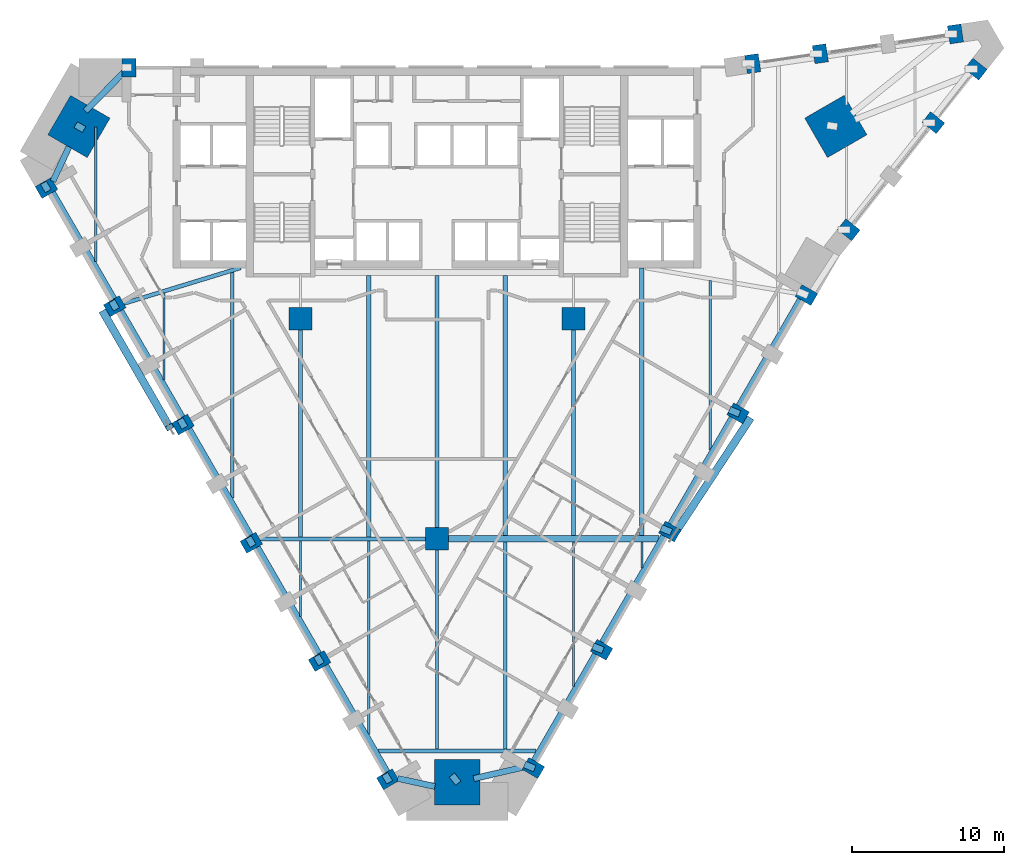
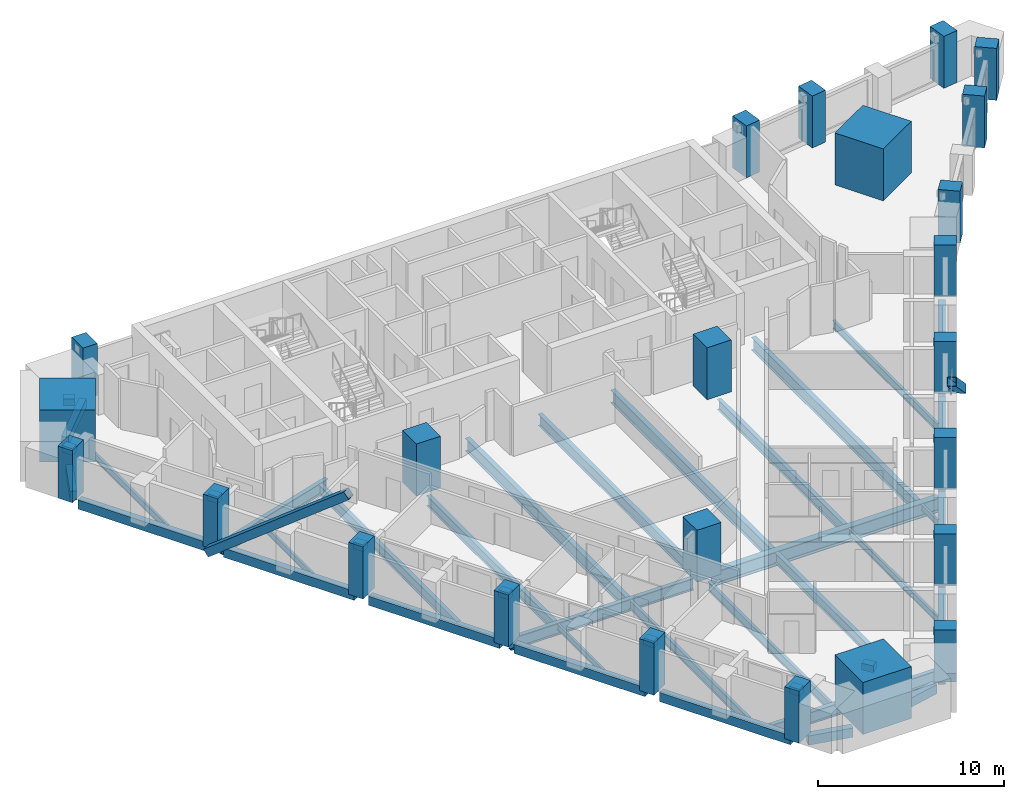
# One storey, part 1 of 11: 45 beams, 24 columns, 2 members.
"""IFC4 building model written with IfcOpenShell, lengths in metres."""

from ifc_helpers import new_model, si_unit, direction, frame, origin, origin_2d, place, context, subcontext, project, spatial, rectangle, hollow_rectangle, i_section, extrude, material, material_profile, profile_set, type_object, element, save


model = new_model("IFC4")

# Units and contexts
model_context = context("Model", 3, precision=1e-05, world=origin(), true_north=direction((0.0, 1.0)))
body_context = subcontext(model_context, "Body", "Model", "MODEL_VIEW")
ifc_project = project(units=[si_unit("LENGTHUNIT", "METRE"), si_unit("AREAUNIT", "SQUARE_METRE"), si_unit("VOLUMEUNIT", "CUBIC_METRE"), si_unit("PLANEANGLEUNIT", "RADIAN"), si_unit("MASSUNIT", "GRAM", prefix="KILO")], contexts=[model_context])

# Site, building, storey
site_placement = place(None, origin())
site = spatial("IfcSite", under=ifc_project, at=site_placement, CompositionType="ELEMENT")
building_placement = place(site_placement, origin())
building = spatial("IfcBuilding", under=site, at=building_placement, Name="Calabash Gate Tower", CompositionType="ELEMENT")
storey_placement = place(building_placement, frame((0.0, 0.0, 98.60009765625)))
storey = spatial("IfcBuildingStorey", under=building, at=storey_placement, Name="L21", CompositionType="ELEMENT", Elevation=98.60009765625)

# Columns
ifc_material_1 = material(Name="Concrete C80/95", Category="concrete")
ifc_material_profile_1 = material_profile(ifc_material_1, rectangle(XDim=1.5, YDim=1.5, at=origin_2d()))
ifc_profile_set_1 = profile_set([ifc_material_profile_1], Name="Concrete C80/95")
column_type_1 = type_object("IfcColumnType", Name="Interior column RC 1500x1500 Concrete C80/95", PredefinedType="COLUMN", material=ifc_profile_set_1)
for number, where, z_axis, x_axis, name in (
    (1, (-9.0, 2.5, 0.0), (0.0, 0.0, 1.0), (1.0, 0.0, 0.0), "Interior column L21 I0"),
    (2, (9.0, 2.5, 0.0), (0.0, 0.0, 1.0), (1.0, 0.0, 0.0), "Interior column L21 I1"),
    (3, (0.0, -12.0, 0.0), (0.0, 0.0, 1.0), (1.0, 0.0, 0.0), "Interior column L21 I2"),
):
    element("IfcColumn", number, at=place(storey_placement, frame(where, z_axis=z_axis, x_axis=x_axis)), inside=storey, type_object=column_type_1, Name=name, PredefinedType="COLUMN", context=body_context, shape_type="SweptSolid", body=[
        extrude(rectangle(XDim=1.5, YDim=1.5, at=origin_2d()), origin(), (0.0, 0.0, 1.0), 3.39990234375),
    ])
ifc_material_2 = material(Name="Concrete C80/95", Category="concrete")
ifc_material_profile_2 = material_profile(ifc_material_2, rectangle(XDim=3.0, YDim=3.0, at=origin_2d()))
ifc_profile_set_2 = profile_set([ifc_material_profile_2], Name="Concrete C80/95")
column_type_2 = type_object("IfcColumnType", Name="Mega column RC 3000x3000 Concrete C80/95", PredefinedType="COLUMN", material=ifc_profile_set_2)
for number, where, z_axis, x_axis, name in (
    (4, (-23.60302734375, 15.177001953125, 0.0), (0.0, 0.0, 1.0), (0.866025438691, -0.49999993954, 0.0), "Mega column L21 NW"),
    (5, (26.283935546875, 15.177001953125, 0.0), (0.0, 0.0, 1.0), (-0.866025438691, -0.49999993954, 0.0), "Mega column L21 NE"),
    (6, (1.340087890625, -28.030029296875, 0.0), (0.0, 0.0, 1.0), (0.0, 1.0, 0.0), "Mega column L21 S"),
):
    element("IfcColumn", number, at=place(storey_placement, frame(where, z_axis=z_axis, x_axis=x_axis)), inside=storey, type_object=column_type_2, Name=name, PredefinedType="COLUMN", context=body_context, shape_type="SweptSolid", body=[
        extrude(rectangle(XDim=3.0, YDim=3.0, at=origin_2d()), origin(), (0.0, 0.0, 1.0), 3.39990234375),
    ])
ifc_material_3 = material(Name="Concrete C70/85", Category="concrete")
ifc_material_profile_3 = material_profile(ifc_material_3, rectangle(XDim=0.89990234375, YDim=1.199951171875, at=origin_2d()))
ifc_profile_set_3 = profile_set([ifc_material_profile_3], Name="Concrete C70/85")
column_type_3 = type_object("IfcColumnType", Name="Perimeter column RC 900x1200 Concrete C70/85", PredefinedType="COLUMN", material=ifc_profile_set_3)
for number, where, z_axis, x_axis, name in (
    (7, (-25.740966796875, 11.118896484375, 0.0), (0.0, 0.0, 1.0), (0.5, -0.866025403784, 0.0), "Perimeter column L21 P20"),
    (8, (-21.240966796875, 3.326904296875, 0.0), (0.0, 0.0, 1.0), (0.5, -0.866025403784, 0.0), "Perimeter column L21 P00"),
    (9, (-16.740966796875, -4.468994140625, 0.0), (0.0, 0.0, 1.0), (0.5, -0.866025403784, 0.0), "Perimeter column L21 P01"),
    (10, (-12.240966796875, -12.262939453125, 0.0), (0.0, 0.0, 1.0), (0.5, -0.866025403784, 0.0), "Perimeter column L21 P02"),
    (11, (-7.740966796875, -20.05810546875, 0.0), (0.0, 0.0, 1.0), (0.5, -0.866025403784, 0.0), "Perimeter column L21 P03"),
    (12, (-3.240966796875, -27.85205078125, 0.0), (0.0, 0.0, 1.0), (0.5, -0.866025403784, 0.0), "Perimeter column L21 P05"),
    (13, (6.346923828125, -27.111083984375, 0.0), (0.0, 0.0, 1.0), (0.5, 0.866025403784, 0.0), "Perimeter column L21 P08"),
    (14, (10.846923828125, -19.31689453125, 0.0), (0.0, 0.0, 1.0), (0.5, 0.866025403784, 0.0), "Perimeter column L21 P09"),
    (15, (15.346923828125, -11.52294921875, 0.0), (0.0, 0.0, 1.0), (0.5, 0.866025403784, 0.0), "Perimeter column L21 P10"),
    (16, (19.846923828125, -3.72802734375, 0.0), (0.0, 0.0, 1.0), (0.5, 0.866025403784, 0.0), "Perimeter column L21 P11"),
    (17, (24.346923828125, 4.06591796875, 0.0), (0.0, 0.0, 1.0), (0.5, 0.866025403784, 0.0), "Perimeter column L21 P12"),
    (18, (27.135986328125, 8.366943359375, 0.0), (0.0, 0.0, 1.0), (0.620301172202, 0.784363726701, 0.0), "Perimeter column L21 P13"),
    (19, (32.718994140625, 15.424072265625, 0.0), (0.0, 0.0, 1.0), (0.620301172202, 0.784363726701, 0.0), "Perimeter column L21 P21"),
    (20, (35.510009765625, 18.9541015625, 0.0), (0.0, 0.0, 1.0), (0.620301172202, 0.784363726701, 0.0), "Perimeter column L21 P22"),
    (21, (34.169921875, 21.27587890625, 0.0), (0.0, 0.0, 1.0), (-0.989429504293, -0.145014675236, 0.0), "Perimeter column L21 P23"),
    (22, (25.26708984375, 19.970947265625, 0.0), (0.0, 0.0, 1.0), (-0.989429504293, -0.145014675236, 0.0), "Perimeter column L21 P16"),
    (23, (20.81201171875, 19.318115234375, 0.0), (0.0, 0.0, 1.0), (-0.989429504293, -0.145014675236, 0.0), "Perimeter column L21 P24"),
    (24, (-20.302978515625, 19.052978515625, 0.0), (0.0, 0.0, 1.0), (-1.0, 0.0, 0.0), "Perimeter column L21 P17"),
):
    element("IfcColumn", number, at=place(storey_placement, frame(where, z_axis=z_axis, x_axis=x_axis)), inside=storey, type_object=column_type_3, Name=name, PredefinedType="COLUMN", context=body_context, shape_type="SweptSolid", body=[
        extrude(rectangle(XDim=0.89990234375, YDim=1.199951171875, at=origin_2d()), origin(), (0.0, 0.0, 1.0), 3.39990234375),
    ])

# Beams
ifc_material_4 = material(Name="Concrete C80/95", Category="concrete")
ifc_material_profile_4 = material_profile(ifc_material_4, rectangle(XDim=0.449951171875, YDim=0.449951171875, at=origin_2d()))
ifc_profile_set_4 = profile_set([ifc_material_profile_4], Name="Concrete C80/95")
beam_type_1 = type_object("IfcBeamType", Name="Column offset link RC 450x450 Concrete C80/95", PredefinedType="BEAM", material=ifc_profile_set_4)
beam_1_placement = place(storey_placement, frame((-23.262939453125, 14.97900390625, 3.00390625), z_axis=(-0.867052298237, 0.498217133508, 0.0), x_axis=(-0.498217133508, -0.867052298237, 0.0)))
element("IfcBeam", 25, at=beam_1_placement, inside=storey, type_object=beam_type_1, Name="Column offset link L21 NW", PredefinedType="BEAM", context=body_context, shape_type="SweptSolid", body=[
    extrude(rectangle(XDim=0.449951171875, YDim=0.449951171875, at=origin_2d()), origin(), (0.0, 0.0, 1.0), 0.632080078125),
])
for number, where, z_axis, x_axis, name in (
    (26, (-21.123046875, 3.1240234375, 3.00390625), (-0.502042205342, 0.864843121066, 0.0), (-0.864843121066, -0.502042205342, 0.0), "Column offset link L21 P00"),
    (27, (-16.623046875, -4.669921875, 3.00390625), (-0.502042205342, 0.864843121066, 0.0), (-0.864843121066, -0.502042205342, 0.0), "Column offset link L21 P01"),
):
    element("IfcBeam", number, at=place(storey_placement, frame(where, z_axis=z_axis, x_axis=x_axis)), inside=storey, type_object=beam_type_1, Name=name, PredefinedType="BEAM", context=body_context, shape_type="SweptSolid", body=[
        extrude(rectangle(XDim=0.449951171875, YDim=0.449951171875, at=origin_2d()), origin(), (0.0, 0.0, 1.0), 0.631103515625),
    ])
beam_2_placement = place(storey_placement, frame((-12.123046875, -12.464111328125, 3.00390625), z_axis=(-0.501874316315, 0.864940559012, 0.0), x_axis=(-0.864940559012, -0.501874316315, 0.0)))
element("IfcBeam", 28, at=beam_2_placement, inside=storey, type_object=beam_type_1, Name="Column offset link L21 P02", PredefinedType="BEAM", context=body_context, shape_type="SweptSolid", body=[
    extrude(rectangle(XDim=0.449951171875, YDim=0.449951171875, at=origin_2d()), origin(), (0.0, 0.0, 1.0), 0.63134765625),
])
beam_3_placement = place(storey_placement, frame((-7.623046875, -20.258056640625, 3.00390625), z_axis=(-0.502546433169, 0.864550219773, 0.0), x_axis=(-0.864550219773, -0.502546433169, 0.0)))
element("IfcBeam", 29, at=beam_3_placement, inside=storey, type_object=beam_type_1, Name="Column offset link L21 P03", PredefinedType="BEAM", context=body_context, shape_type="SweptSolid", body=[
    extrude(rectangle(XDim=0.449951171875, YDim=0.449951171875, at=origin_2d()), origin(), (0.0, 0.0, 1.0), 0.630615234375),
])
beam_4_placement = place(storey_placement, frame((-3.123046875, -28.052001953125, 3.00390625), z_axis=(-0.502714696212, 0.864452389789, 0.0), x_axis=(-0.864452389789, -0.502714696212, 0.0)))
element("IfcBeam", 30, at=beam_4_placement, inside=storey, type_object=beam_type_1, Name="Column offset link L21 P05", PredefinedType="BEAM", context=body_context, shape_type="SweptSolid", body=[
    extrude(rectangle(XDim=0.449951171875, YDim=0.449951171875, at=origin_2d()), origin(), (0.0, 0.0, 1.0), 0.63037109375),
])
beam_5_placement = place(storey_placement, frame((6.43994140625, -27.14990234375, 3.00390625), z_axis=(-0.921775912684, 0.387723054249, 0.0), x_axis=(-0.387723054249, -0.921775912684, 0.0)))
element("IfcBeam", 31, at=beam_5_placement, inside=storey, type_object=beam_type_1, Name="Column offset link L21 P08", PredefinedType="BEAM", context=body_context, shape_type="SweptSolid", body=[
    extrude(rectangle(XDim=0.449951171875, YDim=0.449951171875, at=origin_2d()), origin(), (0.0, 0.0, 1.0), 0.718994140625),
])
beam_6_placement = place(storey_placement, frame((10.93994140625, -19.35302734375, 3.00390625), z_axis=(-0.923107097982, 0.384542956839, 0.0), x_axis=(-0.384542956839, -0.923107097982, 0.0)))
element("IfcBeam", 32, at=beam_6_placement, inside=storey, type_object=beam_type_1, Name="Column offset link L21 P09", PredefinedType="BEAM", context=body_context, shape_type="SweptSolid", body=[
    extrude(rectangle(XDim=0.449951171875, YDim=0.449951171875, at=origin_2d()), origin(), (0.0, 0.0, 1.0), 0.718017578125),
])
for number, where, z_axis, x_axis, name in (
    (33, (15.43994140625, -11.56103515625, 3.00390625), (-0.921654543949, 0.388011470988, 0.0), (-0.388011470988, -0.921654543949, 0.0), "Column offset link L21 P10"),
    (34, (19.93994140625, -3.76708984375, 3.00390625), (-0.921654543949, 0.388011470988, 0.0), (-0.388011470988, -0.921654543949, 0.0), "Column offset link L21 P11"),
):
    element("IfcBeam", number, at=place(storey_placement, frame(where, z_axis=z_axis, x_axis=x_axis)), inside=storey, type_object=beam_type_1, Name=name, PredefinedType="BEAM", context=body_context, shape_type="SweptSolid", body=[
        extrude(rectangle(XDim=0.449951171875, YDim=0.449951171875, at=origin_2d()), origin(), (0.0, 0.0, 1.0), 0.71923828125),
    ])
beam_7_placement = place(storey_placement, frame((-25.623046875, 10.9189453125, 3.00390625), z_axis=(-0.502546433169, 0.864550219773, 0.0), x_axis=(-0.864550219773, -0.502546433169, 0.0)))
element("IfcBeam", 35, at=beam_7_placement, inside=storey, type_object=beam_type_1, Name="Column offset link L21 P20", PredefinedType="BEAM", context=body_context, shape_type="SweptSolid", body=[
    extrude(rectangle(XDim=0.449951171875, YDim=0.449951171875, at=origin_2d()), origin(), (0.0, 0.0, 1.0), 0.630615234375),
])
beam_8_placement = place(storey_placement, frame((1.40087890625, -28.10888671875, 3.00390625), z_axis=(-0.618564308494, 0.785734176588, 0.0), x_axis=(-0.785734176588, -0.618564308494, 0.0)))
element("IfcBeam", 36, at=beam_8_placement, inside=storey, type_object=beam_type_1, Name="Column offset link L21 S", PredefinedType="BEAM", context=body_context, shape_type="SweptSolid", body=[
    extrude(rectangle(XDim=0.449951171875, YDim=0.449951171875, at=origin_2d()), origin(), (0.0, 0.0, 1.0), 0.68212890625),
])
ifc_material_5 = material(Name="Concrete C60/75", Category="concrete")
ifc_material_profile_5 = material_profile(ifc_material_5, rectangle(XDim=0.39990234375, YDim=0.60009765625, at=origin_2d()))
ifc_profile_set_5 = profile_set([ifc_material_profile_5], Name="Concrete C60/75")
beam_type_2 = type_object("IfcBeamType", Name="Edge beam RC 400x600 Concrete C60/75", PredefinedType="BEAM", material=ifc_profile_set_5)
beam_9_placement = place(storey_placement, frame((-16.343017578125, -4.759033203125, -0.47021484375), z_axis=(0.499999880539, -0.866025472755, 0.0), x_axis=(0.866025472755, 0.499999880539, 0.0)))
element("IfcBeam", 37, at=beam_9_placement, inside=storey, type_object=beam_type_2, Name="Edge beam L21 1", PredefinedType="BEAM", context=body_context, shape_type="SweptSolid", body=[
    extrude(rectangle(XDim=0.39990234375, YDim=0.60009765625, at=origin_2d()), origin(), (0.0, 0.0, 1.0), 8.10009765625),
])
for number, where, z_axis, x_axis, name in (
    (38, (-11.843017578125, -12.552978515625, -0.47021484375), (0.499986829629, -0.866033007568, 0.0), (0.866033007568, 0.499986829629, 0.0), "Edge beam L21 2"),
    (39, (-7.343017578125, -20.346923828125, -0.47021484375), (0.499986829629, -0.866033007568, 0.0), (0.866033007568, 0.499986829629, 0.0), "Edge beam L21 3"),
):
    element("IfcBeam", number, at=place(storey_placement, frame(where, z_axis=z_axis, x_axis=x_axis)), inside=storey, type_object=beam_type_2, Name=name, PredefinedType="BEAM", context=body_context, shape_type="SweptSolid", body=[
        extrude(rectangle(XDim=0.39990234375, YDim=0.60009765625, at=origin_2d()), origin(), (0.0, 0.0, 1.0), 8.100341796875),
    ])
beam_10_placement = place(storey_placement, frame((-2.592041015625, -27.79296875, -0.47021484375), z_axis=(0.976668907424, -0.214750658372, 0.0), x_axis=(0.214750658372, 0.976668907424, 0.0)))
element("IfcBeam", 40, at=beam_10_placement, inside=storey, type_object=beam_type_2, Name="Edge beam L21 4", PredefinedType="BEAM", context=body_context, shape_type="SweptSolid", body=[
    extrude(rectangle(XDim=0.39990234375, YDim=0.60009765625, at=origin_2d()), origin(), (0.0, 0.0, 1.0), 2.5146484375),
])
beam_11_placement = place(storey_placement, frame((2.41796875, -27.805908203125, -0.47021484375), z_axis=(0.974636441544, 0.223794117022, 0.0), x_axis=(-0.223794117022, 0.974636441544, 0.0)))
element("IfcBeam", 41, at=beam_11_placement, inside=storey, type_object=beam_type_2, Name="Edge beam L21 5", PredefinedType="BEAM", context=body_context, shape_type="SweptSolid", body=[
    extrude(rectangle(XDim=0.39990234375, YDim=0.60009765625, at=origin_2d()), origin(), (0.0, 0.0, 1.0), 3.364501953125),
])
beam_12_placement = place(storey_placement, frame((6.39892578125, -26.62109375, -0.47021484375), z_axis=(0.499986829629, 0.866033007568, 0.0), x_axis=(-0.866033007568, 0.499986829629, 0.0)))
element("IfcBeam", 42, at=beam_12_placement, inside=storey, type_object=beam_type_2, Name="Edge beam L21 6", PredefinedType="BEAM", context=body_context, shape_type="SweptSolid", body=[
    extrude(rectangle(XDim=0.39990234375, YDim=0.60009765625, at=origin_2d()), origin(), (0.0, 0.0, 1.0), 8.100341796875),
])
for number, where, z_axis, x_axis, name in (
    (43, (10.89892578125, -18.826904296875, -0.47021484375), (0.499999880539, 0.866025472755, 0.0), (-0.866025472755, 0.499999880539, 0.0), "Edge beam L21 7"),
    (44, (15.39892578125, -11.032958984375, -0.47021484375), (0.499999880539, 0.866025472755, 0.0), (-0.866025472755, 0.499999880539, 0.0), "Edge beam L21 8"),
    (45, (19.89892578125, -3.239013671875, -0.47021484375), (0.499999880539, 0.866025472755, 0.0), (-0.866025472755, 0.499999880539, 0.0), "Edge beam L21 9"),
):
    element("IfcBeam", number, at=place(storey_placement, frame(where, z_axis=z_axis, x_axis=x_axis)), inside=storey, type_object=beam_type_2, Name=name, PredefinedType="BEAM", context=body_context, shape_type="SweptSolid", body=[
        extrude(rectangle(XDim=0.39990234375, YDim=0.60009765625, at=origin_2d()), origin(), (0.0, 0.0, 1.0), 8.10009765625),
    ])
beam_13_placement = place(storey_placement, frame((-20.5419921875, 18.845947265625, -0.47021484375), z_axis=(-0.70442676578, -0.70977667731, 0.0), x_axis=(0.70977667731, -0.70442676578, 0.0)))
element("IfcBeam", 46, at=beam_13_placement, inside=storey, type_object=beam_type_2, Name="Edge beam L21 17", PredefinedType="BEAM", context=body_context, shape_type="SweptSolid", body=[
    extrude(rectangle(XDim=0.39990234375, YDim=0.60009765625, at=origin_2d()), origin(), (0.0, 0.0, 1.0), 3.741943359375),
])
beam_14_placement = place(storey_placement, frame((-24.259033203125, 13.837890625, -0.47021484375), z_axis=(-0.42085214223, -0.907129248994, 0.0), x_axis=(0.907129248994, -0.42085214223, 0.0)))
element("IfcBeam", 47, at=beam_14_placement, inside=storey, type_object=beam_type_2, Name="Edge beam L21 18", PredefinedType="BEAM", context=body_context, shape_type="SweptSolid", body=[
    extrude(rectangle(XDim=0.39990234375, YDim=0.60009765625, at=origin_2d()), origin(), (0.0, 0.0, 1.0), 2.518798828125),
])
beam_15_placement = place(storey_placement, frame((-25.343017578125, 10.830078125, -0.47021484375), z_axis=(0.500091252813, -0.865972712538, 0.0), x_axis=(0.865972712538, 0.500091252813, 0.0)))
element("IfcBeam", 48, at=beam_15_placement, inside=storey, type_object=beam_type_2, Name="Edge beam L21 19", PredefinedType="BEAM", context=body_context, shape_type="SweptSolid", body=[
    extrude(rectangle(XDim=0.39990234375, YDim=0.60009765625, at=origin_2d()), origin(), (0.0, 0.0, 1.0), 8.0986328125),
])
beam_16_placement = place(storey_placement, frame((-20.843017578125, 3.037109375, -0.47021484375), z_axis=(0.499934631664, -0.866063140922, 0.0), x_axis=(0.866063140922, 0.499934631664, 0.0)))
element("IfcBeam", 49, at=beam_16_placement, inside=storey, type_object=beam_type_2, Name="Edge beam L21 20", PredefinedType="BEAM", context=body_context, shape_type="SweptSolid", body=[
    extrude(rectangle(XDim=0.39990234375, YDim=0.60009765625, at=origin_2d()), origin(), (0.0, 0.0, 1.0), 8.10107421875),
])
ifc_material_6 = material(Name="Steel ASTM A992 Gr50", Category="steel")
ifc_material_profile_6 = material_profile(ifc_material_6, i_section(OverallWidth=0.1396484375, OverallDepth=0.398681640625, WebThickness=0.00634765625, FlangeThickness=0.0087890625, FilletRadius=0.01025390625, at=origin_2d()))
ifc_profile_set_6 = profile_set([ifc_material_profile_6], Name="Steel ASTM A992 Gr50")
beam_type_3 = type_object("IfcBeamType", Name="Floor beam W16x26 ASTM A992 Gr50", PredefinedType="BEAM", material=ifc_profile_set_6)
beam_17_placement = place(storey_placement, frame((-18.0, -1.52001953125, -0.369140625), z_axis=(0.0, 1.0, 0.0), x_axis=(-1.0, 0.0, 0.0)))
element("IfcBeam", 50, at=beam_17_placement, inside=storey, type_object=beam_type_3, Name="Floor beam L21 2", PredefinedType="BEAM", context=body_context, shape_type="SweptSolid", body=[
    extrude(i_section(OverallWidth=0.1396484375, OverallDepth=0.398681640625, WebThickness=0.00634765625, FlangeThickness=0.0087890625, FilletRadius=0.01025390625, at=origin_2d()), origin(), (0.0, 0.0, 1.0), 5.718994140625),
])
beam_18_placement = place(storey_placement, frame((-9.0, -17.10791015625, -0.369140625), z_axis=(0.0, 1.0, 0.0), x_axis=(-1.0, 0.0, 0.0)))
element("IfcBeam", 51, at=beam_18_placement, inside=storey, type_object=beam_type_3, Name="Floor beam L21 4", PredefinedType="BEAM", context=body_context, shape_type="SweptSolid", body=[
    extrude(i_section(OverallWidth=0.1396484375, OverallDepth=0.398681640625, WebThickness=0.00634765625, FlangeThickness=0.0087890625, FilletRadius=0.01025390625, at=origin_2d()), origin(), (0.0, 0.0, 1.0), 4.974853515625),
])
beam_19_placement = place(storey_placement, frame((13.5, -13.93408203125, -0.369140625), z_axis=(0.0, 1.0, 0.0), x_axis=(-1.0, 0.0, 0.0)))
element("IfcBeam", 52, at=beam_19_placement, inside=storey, type_object=beam_type_3, Name="Floor beam L21 16", PredefinedType="BEAM", context=body_context, shape_type="SweptSolid", body=[
    extrude(i_section(OverallWidth=0.1396484375, OverallDepth=0.398681640625, WebThickness=0.00634765625, FlangeThickness=0.0087890625, FilletRadius=0.01025390625, at=origin_2d()), origin(), (0.0, 0.0, 1.0), 1.72412109375),
])
ifc_material_7 = material(Name="Steel ASTM A992 Gr50", Category="steel")
ifc_material_profile_7 = material_profile(ifc_material_7, i_section(OverallWidth=0.15234375, OverallDepth=0.44970703125, WebThickness=0.007568359375, FlangeThickness=0.0107421875, FilletRadius=0.01025390625, at=origin_2d()))
ifc_profile_set_7 = profile_set([ifc_material_profile_7], Name="Steel ASTM A992 Gr50")
beam_type_4 = type_object("IfcBeamType", Name="Floor beam W18x35 ASTM A992 Gr50", PredefinedType="BEAM", material=ifc_profile_set_7)
beam_20_placement = place(storey_placement, frame((-22.5, 6.27392578125, -0.39306640625), z_axis=(0.0, 1.0, 0.0), x_axis=(-1.0, 0.0, 0.0)))
element("IfcBeam", 53, at=beam_20_placement, inside=storey, type_object=beam_type_4, Name="Floor beam L21 1", PredefinedType="BEAM", context=body_context, shape_type="SweptSolid", body=[
    extrude(i_section(OverallWidth=0.15234375, OverallDepth=0.44970703125, WebThickness=0.007568359375, FlangeThickness=0.0107421875, FilletRadius=0.01025390625, at=origin_2d()), origin(), (0.0, 0.0, 1.0), 8.8681640625),
])
beam_21_placement = place(storey_placement, frame((9.0, -21.72900390625, -0.39306640625), z_axis=(0.0, 1.0, 0.0), x_axis=(-1.0, 0.0, 0.0)))
element("IfcBeam", 54, at=beam_21_placement, inside=storey, type_object=beam_type_4, Name="Floor beam L21 13", PredefinedType="BEAM", context=body_context, shape_type="SweptSolid", body=[
    extrude(i_section(OverallWidth=0.15234375, OverallDepth=0.44970703125, WebThickness=0.007568359375, FlangeThickness=0.0107421875, FilletRadius=0.01025390625, at=origin_2d()), origin(), (0.0, 0.0, 1.0), 9.51904296875),
])
ifc_material_8 = material(Name="Steel ASTM A992 Gr50", Category="steel")
ifc_material_profile_8 = material_profile(ifc_material_8, i_section(OverallWidth=0.166015625, OverallDepth=0.5283203125, WebThickness=0.009765625, FlangeThickness=0.013671875, FilletRadius=0.0126953125, at=origin_2d()))
ifc_profile_set_8 = profile_set([ifc_material_profile_8], Name="Steel ASTM A992 Gr50")
beam_type_5 = type_object("IfcBeamType", Name="Floor beam W21x50 ASTM A992 Gr50", PredefinedType="BEAM", material=ifc_profile_set_8)
beam_22_placement = place(storey_placement, frame((18.0, -6.159912109375, -0.43408203125), z_axis=(0.0, 1.0, 0.0), x_axis=(-1.0, 0.0, 0.0)))
element("IfcBeam", 55, at=beam_22_placement, inside=storey, type_object=beam_type_5, Name="Floor beam L21 18", PredefinedType="BEAM", context=body_context, shape_type="SweptSolid", body=[
    extrude(i_section(OverallWidth=0.166015625, OverallDepth=0.5283203125, WebThickness=0.009765625, FlangeThickness=0.013671875, FilletRadius=0.0126953125, at=origin_2d()), origin(), (0.0, 0.0, 1.0), 11.197021484375),
])
ifc_material_9 = material(Name="Steel ASTM A992 Gr50", Category="steel")
ifc_material_profile_9 = material_profile(ifc_material_9, i_section(OverallWidth=0.1787109375, OverallDepth=0.60205078125, WebThickness=0.010986328125, FlangeThickness=0.014892578125, FilletRadius=0.0126953125, at=origin_2d()))
ifc_profile_set_9 = profile_set([ifc_material_profile_9], Name="Steel ASTM A992 Gr50")
beam_type_6 = type_object("IfcBeamType", Name="Floor beam W24x62 ASTM A992 Gr50", PredefinedType="BEAM", material=ifc_profile_set_9)
beam_23_placement = place(storey_placement, frame((-4.5, -24.903076171875, -0.47119140625), z_axis=(0.0, 1.0, 0.0), x_axis=(-1.0, 0.0, 0.0)))
element("IfcBeam", 56, at=beam_23_placement, inside=storey, type_object=beam_type_6, Name="Floor beam L21 7", PredefinedType="BEAM", context=body_context, shape_type="SweptSolid", body=[
    extrude(i_section(OverallWidth=0.1787109375, OverallDepth=0.60205078125, WebThickness=0.010986328125, FlangeThickness=0.014892578125, FilletRadius=0.0126953125, at=origin_2d()), origin(), (0.0, 0.0, 1.0), 12.77001953125),
])
beam_24_placement = place(storey_placement, frame((0.0, -25.866943359375, -0.47119140625), z_axis=(0.0, 1.0, 0.0), x_axis=(-1.0, 0.0, 0.0)))
element("IfcBeam", 57, at=beam_24_placement, inside=storey, type_object=beam_type_6, Name="Floor beam L21 9", PredefinedType="BEAM", context=body_context, shape_type="SweptSolid", body=[
    extrude(i_section(OverallWidth=0.1787109375, OverallDepth=0.60205078125, WebThickness=0.010986328125, FlangeThickness=0.014892578125, FilletRadius=0.0126953125, at=origin_2d()), origin(), (0.0, 0.0, 1.0), 13.116943359375),
])
ifc_material_10 = material(Name="Steel ASTM A992 Gr50", Category="steel")
ifc_material_profile_10 = material_profile(ifc_material_10, i_section(OverallWidth=0.25390625, OverallDepth=0.67822265625, WebThickness=0.01171875, FlangeThickness=0.016357421875, FilletRadius=0.01513671875, at=origin_2d()))
ifc_profile_set_10 = profile_set([ifc_material_profile_10], Name="Steel ASTM A992 Gr50")
beam_type_7 = type_object("IfcBeamType", Name="Floor beam W27x84 ASTM A992 Gr50", PredefinedType="BEAM", material=ifc_profile_set_10)
beam_25_placement = place(storey_placement, frame((-13.5, -9.31396484375, -0.509033203125), z_axis=(0.0, 1.0, 0.0), x_axis=(-1.0, 0.0, 0.0)))
element("IfcBeam", 58, at=beam_25_placement, inside=storey, type_object=beam_type_7, Name="Floor beam L21 3", PredefinedType="BEAM", context=body_context, shape_type="SweptSolid", body=[
    extrude(i_section(OverallWidth=0.25390625, OverallDepth=0.67822265625, WebThickness=0.01171875, FlangeThickness=0.016357421875, FilletRadius=0.01513671875, at=origin_2d()), origin(), (0.0, 0.0, 1.0), 14.889892578125),
])
beam_26_placement = place(storey_placement, frame((-9.0, -11.866943359375, -0.509033203125), z_axis=(0.0, 1.0, 0.0), x_axis=(-1.0, 0.0, 0.0)))
element("IfcBeam", 59, at=beam_26_placement, inside=storey, type_object=beam_type_7, Name="Floor beam L21 5", PredefinedType="BEAM", context=body_context, shape_type="SweptSolid", body=[
    extrude(i_section(OverallWidth=0.25390625, OverallDepth=0.67822265625, WebThickness=0.01171875, FlangeThickness=0.016357421875, FilletRadius=0.01513671875, at=origin_2d()), origin(), (0.0, 0.0, 1.0), 13.616943359375),
])
beam_27_placement = place(storey_placement, frame((4.5, -25.866943359375, -0.509033203125), z_axis=(0.0, 1.0, 0.0), x_axis=(-1.0, 0.0, 0.0)))
element("IfcBeam", 60, at=beam_27_placement, inside=storey, type_object=beam_type_7, Name="Floor beam L21 11", PredefinedType="BEAM", context=body_context, shape_type="SweptSolid", body=[
    extrude(i_section(OverallWidth=0.25390625, OverallDepth=0.67822265625, WebThickness=0.01171875, FlangeThickness=0.016357421875, FilletRadius=0.01513671875, at=origin_2d()), origin(), (0.0, 0.0, 1.0), 13.656982421875),
])
beam_28_placement = place(storey_placement, frame((9.0, -11.7900390625, -0.509033203125), z_axis=(0.0, 1.0, 0.0), x_axis=(-1.0, 0.0, 0.0)))
element("IfcBeam", 61, at=beam_28_placement, inside=storey, type_object=beam_type_7, Name="Floor beam L21 14", PredefinedType="BEAM", context=body_context, shape_type="SweptSolid", body=[
    extrude(i_section(OverallWidth=0.25390625, OverallDepth=0.67822265625, WebThickness=0.01171875, FlangeThickness=0.016357421875, FilletRadius=0.01513671875, at=origin_2d()), origin(), (0.0, 0.0, 1.0), 13.5400390625),
])
ifc_material_11 = material(Name="Steel ASTM A992 Gr50", Category="steel")
ifc_material_profile_11 = material_profile(ifc_material_11, i_section(OverallWidth=0.2666015625, OverallDepth=0.7568359375, WebThickness=0.013916015625, FlangeThickness=0.019287109375, FilletRadius=0.0166015625, at=origin_2d()))
ifc_profile_set_11 = profile_set([ifc_material_profile_11], Name="Steel ASTM A992 Gr50")
beam_type_8 = type_object("IfcBeamType", Name="Floor beam W30x108 ASTM A992 Gr50", PredefinedType="BEAM", material=ifc_profile_set_11)
beam_29_placement = place(storey_placement, frame((0.0, -11.25, -0.548095703125), z_axis=(0.0, 1.0, 0.0), x_axis=(-1.0, 0.0, 0.0)))
element("IfcBeam", 62, at=beam_29_placement, inside=storey, type_object=beam_type_8, Name="Floor beam L21 10", PredefinedType="BEAM", context=body_context, shape_type="SweptSolid", body=[
    extrude(i_section(OverallWidth=0.2666015625, OverallDepth=0.7568359375, WebThickness=0.013916015625, FlangeThickness=0.019287109375, FilletRadius=0.0166015625, at=origin_2d()), origin(), (0.0, 0.0, 1.0), 16.60205078125),
])
ifc_material_12 = material(Name="Steel ASTM A992 Gr50", Category="steel")
ifc_material_profile_12 = material_profile(ifc_material_12, i_section(OverallWidth=0.2919921875, OverallDepth=0.845703125, WebThickness=0.015380859375, FlangeThickness=0.0244140625, FilletRadius=0.017822265625, at=origin_2d()))
ifc_profile_set_12 = profile_set([ifc_material_profile_12], Name="Steel ASTM A992 Gr50")
beam_type_9 = type_object("IfcBeamType", Name="Floor beam W33x141 ASTM A992 Gr50", PredefinedType="BEAM", material=ifc_profile_set_12)
beam_30_placement = place(storey_placement, frame((-4.5, -11.866943359375, -0.593017578125), z_axis=(0.0, 1.0, 0.0), x_axis=(-1.0, 0.0, 0.0)))
element("IfcBeam", 63, at=beam_30_placement, inside=storey, type_object=beam_type_9, Name="Floor beam L21 8", PredefinedType="BEAM", context=body_context, shape_type="SweptSolid", body=[
    extrude(i_section(OverallWidth=0.2919921875, OverallDepth=0.845703125, WebThickness=0.015380859375, FlangeThickness=0.0244140625, FilletRadius=0.017822265625, at=origin_2d()), origin(), (0.0, 0.0, 1.0), 17.218994140625),
])
beam_31_placement = place(storey_placement, frame((4.5, -11.7900390625, -0.593017578125), z_axis=(0.0, 1.0, 0.0), x_axis=(-1.0, 0.0, 0.0)))
element("IfcBeam", 64, at=beam_31_placement, inside=storey, type_object=beam_type_9, Name="Floor beam L21 12", PredefinedType="BEAM", context=body_context, shape_type="SweptSolid", body=[
    extrude(i_section(OverallWidth=0.2919921875, OverallDepth=0.845703125, WebThickness=0.015380859375, FlangeThickness=0.0244140625, FilletRadius=0.017822265625, at=origin_2d()), origin(), (0.0, 0.0, 1.0), 17.14208984375),
])
beam_32_placement = place(storey_placement, frame((13.5, -11.7900390625, -0.593017578125), z_axis=(0.0, 1.0, 0.0), x_axis=(-1.0, 0.0, 0.0)))
element("IfcBeam", 65, at=beam_32_placement, inside=storey, type_object=beam_type_9, Name="Floor beam L21 17", PredefinedType="BEAM", context=body_context, shape_type="SweptSolid", body=[
    extrude(i_section(OverallWidth=0.2919921875, OverallDepth=0.845703125, WebThickness=0.015380859375, FlangeThickness=0.0244140625, FilletRadius=0.017822265625, at=origin_2d()), origin(), (0.0, 0.0, 1.0), 17.64306640625),
])
ifc_material_13 = material(Name="Steel ASTM A992 Gr50", Category="steel")
ifc_material_profile_13 = material_profile(ifc_material_13, i_section(OverallWidth=0.2666015625, OverallDepth=0.77978515625, WebThickness=0.0166015625, FlangeThickness=0.030029296875, FilletRadius=0.0166015625, at=origin_2d()))
ifc_profile_set_13 = profile_set([ifc_material_profile_13], Name="Steel ASTM A992 Gr50")
beam_type_10 = type_object("IfcBeamType", Name="Girder W30x148 ASTM A992 Gr50", PredefinedType="BEAM", material=ifc_profile_set_13)
beam_33_placement = place(storey_placement, frame((-20.843017578125, 3.446044921875, -0.56005859375), z_axis=(0.9562077266, 0.292688885321, 0.0), x_axis=(-0.292688885321, 0.9562077266, 0.0)))
element("IfcBeam", 66, at=beam_33_placement, inside=storey, type_object=beam_type_10, Name="Girder L21 2", PredefinedType="BEAM", context=body_context, shape_type="SweptSolid", body=[
    extrude(i_section(OverallWidth=0.2666015625, OverallDepth=0.77978515625, WebThickness=0.0166015625, FlangeThickness=0.030029296875, FilletRadius=0.0166015625, at=origin_2d()), origin(), (0.0, 0.0, 1.0), 8.254638671875),
])
beam_34_placement = place(storey_placement, frame((-11.912109375, -12.0, -0.56005859375), z_axis=(1.0, 0.0, 0.0), x_axis=(0.0, 1.0, 0.0)))
element("IfcBeam", 67, at=beam_34_placement, inside=storey, type_object=beam_type_10, Name="Girder L21 4", PredefinedType="BEAM", context=body_context, shape_type="SweptSolid", body=[
    extrude(i_section(OverallWidth=0.2666015625, OverallDepth=0.77978515625, WebThickness=0.0166015625, FlangeThickness=0.030029296875, FilletRadius=0.0166015625, at=origin_2d()), origin(), (0.0, 0.0, 1.0), 11.342041015625),
])
beam_35_placement = place(storey_placement, frame((-3.8798828125, -26.0, -0.56005859375), z_axis=(1.0, 0.0, 0.0), x_axis=(0.0, 1.0, 0.0)))
element("IfcBeam", 68, at=beam_35_placement, inside=storey, type_object=beam_type_10, Name="Girder L21 6", PredefinedType="BEAM", context=body_context, shape_type="SweptSolid", body=[
    extrude(i_section(OverallWidth=0.2666015625, OverallDepth=0.77978515625, WebThickness=0.0166015625, FlangeThickness=0.030029296875, FilletRadius=0.0166015625, at=origin_2d()), origin(), (0.0, 0.0, 1.0), 10.4189453125),
])
ifc_material_14 = material(Name="Steel ASTM A992 Gr50", Category="steel")
ifc_material_profile_14 = material_profile(ifc_material_14, i_section(OverallWidth=0.419189453125, OverallDepth=0.927001953125, WebThickness=0.019287109375, FlangeThickness=0.031982421875, FilletRadius=0.024169921875, at=origin_2d()))
ifc_profile_set_14 = profile_set([ifc_material_profile_14], Name="Steel ASTM A992 Gr50")
beam_type_11 = type_object("IfcBeamType", Name="Girder W36x231 ASTM A992 Gr50", PredefinedType="BEAM", material=ifc_profile_set_14)
beam_36_placement = place(storey_placement, frame((0.570068359375, -12.0, -0.634033203125), z_axis=(1.0, 0.0, 0.0), x_axis=(0.0, 1.0, 0.0)))
element("IfcBeam", 69, at=beam_36_placement, inside=storey, type_object=beam_type_11, Name="Girder L21 5", PredefinedType="BEAM", context=body_context, shape_type="SweptSolid", body=[
    extrude(i_section(OverallWidth=0.419189453125, OverallDepth=0.927001953125, WebThickness=0.019287109375, FlangeThickness=0.031982421875, FilletRadius=0.024169921875, at=origin_2d()), origin(), (0.0, 0.0, 1.0), 14.052001953125),
])

# Members
ifc_material_15 = material(Name="Steel ASTM A500 Gr C", Category="steel")
ifc_material_profile_15 = material_profile(ifc_material_15, hollow_rectangle(XDim=0.508056640625, YDim=0.508056640625, WallThickness=0.01904296875, at=origin_2d()))
ifc_profile_set_15 = profile_set([ifc_material_profile_15], Name="Steel ASTM A500 Gr C")
member_type = type_object("IfcMemberType", Name="Mega-brace HSS20X20X.750 ASTM A500 Gr C", PredefinedType="BRACE", material=ifc_profile_set_15)
member_1_placement = place(storey_placement, frame((-21.980224609375, 2.898193359375, 0.0), z_axis=(0.393975593218, -0.682388453839, 0.615734707497), x_axis=(0.866026263429, 0.499998511049, 0.0)))
element("IfcMember", 70, at=member_1_placement, inside=storey, type_object=member_type, Name="Mega-brace SW Z2 12", PredefinedType="BRACE", context=body_context, shape_type="SweptSolid", body=[
    extrude(hollow_rectangle(XDim=0.508056640625, YDim=0.508056640625, WallThickness=0.01904296875, at=origin_2d()), origin(), (0.0, 0.0, 1.0), 11.04345703125),
])
member_2_placement = place(storey_placement, frame((20.587158203125, -4.1552734375, 0.0), z_axis=(-0.439029189679, -0.669304303874, 0.599403970145), x_axis=(0.836163512482, -0.548480246129, 0.0)))
element("IfcMember", 71, at=member_2_placement, inside=storey, type_object=member_type, Name="Mega-brace SE Z2 17", PredefinedType="BRACE", context=body_context, shape_type="SweptSolid", body=[
    extrude(hollow_rectangle(XDim=0.508056640625, YDim=0.508056640625, WallThickness=0.01904296875, at=origin_2d()), origin(), (0.0, 0.0, 1.0), 11.34423828125),
])

save(model, "model.ifc")
